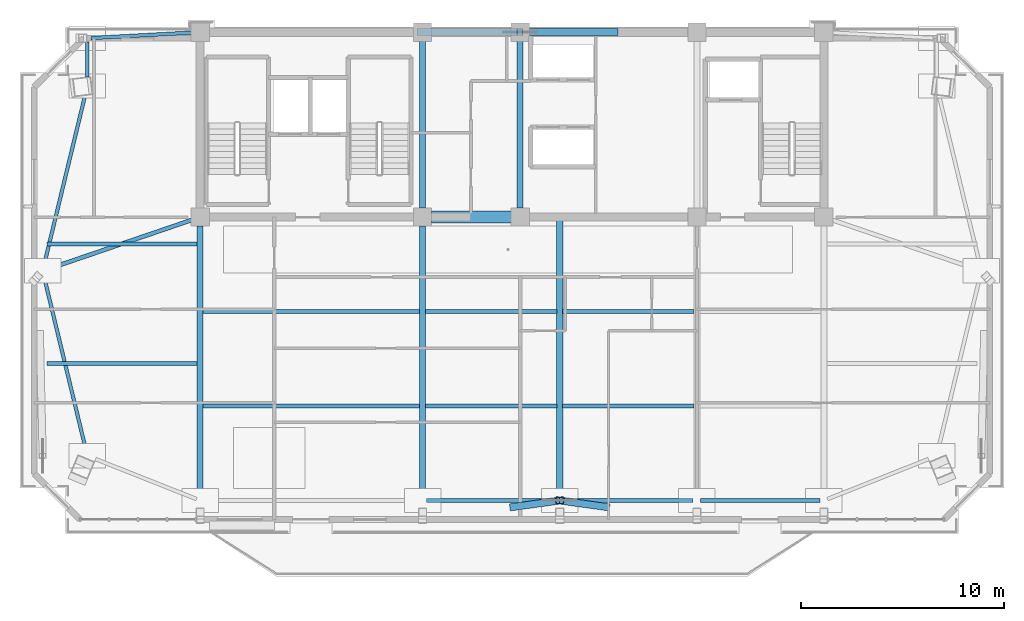
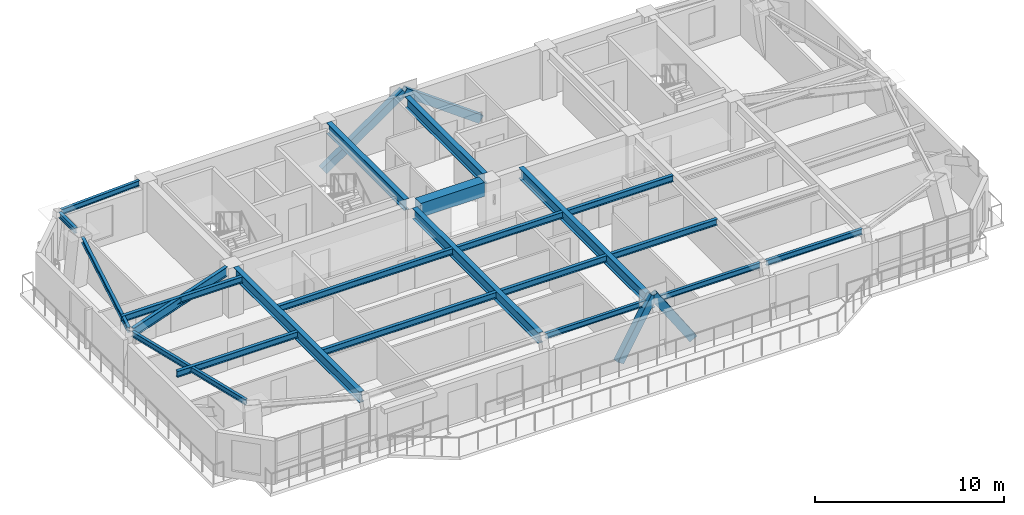
# One storey, part 3 of 12: 22 beams, 4 members.
"""IFC4 building model written with IfcOpenShell, lengths in metres."""

from ifc_helpers import new_model, si_unit, direction, frame, origin, origin_2d, place, context, subcontext, project, spatial, rectangle, hollow_rectangle, i_section, extrude, source, transform, mapped, material, material_profile, profile_set, type_object, element, save


model = new_model("IFC4")

# Units and contexts
model_context = context("Model", 3, precision=1e-05, world=origin(), true_north=direction((0.0, 1.0)))
body_context = subcontext(model_context, "Body", "Model", "MODEL_VIEW")
ifc_project = project(units=[si_unit("LENGTHUNIT", "METRE"), si_unit("AREAUNIT", "SQUARE_METRE"), si_unit("VOLUMEUNIT", "CUBIC_METRE"), si_unit("PLANEANGLEUNIT", "RADIAN"), si_unit("MASSUNIT", "GRAM", prefix="KILO")], contexts=[model_context])

# Site, building, storey
site_placement = place(None, origin())
site = spatial("IfcSite", under=ifc_project, at=site_placement, CompositionType="ELEMENT")
building_placement = place(site_placement, origin())
building = spatial("IfcBuilding", under=site, at=building_placement, Name="Giltprow Tower", CompositionType="ELEMENT")
storey_placement = place(building_placement, frame((0.0, 0.0, 342.5)))
storey = spatial("IfcBuildingStorey", under=building, at=storey_placement, Name="L89", CompositionType="ELEMENT", Elevation=342.5)

# Beams
ifc_material_1 = material(Name="Structural steel Q355B", Category="steel")
ifc_material_profile_1 = material_profile(ifc_material_1, i_section(OverallWidth=0.199951171875, OverallDepth=0.39990234375, WebThickness=0.008056640625, FlangeThickness=0.012939453125, at=origin_2d()), Name="HN 400x200x8x13")
ifc_profile_set_1 = profile_set([ifc_material_profile_1], Name="Structural steel Q355B")
beam_type_1 = type_object("IfcBeamType", Name="BM-JOIST-HN400", PredefinedType="JOIST", material=ifc_profile_set_1)
shared_shape_1 = source(origin(), body_context, "Body", "SweptSolid", [
    extrude(i_section(OverallWidth=0.199951171875, OverallDepth=0.39990234375, WebThickness=0.008056640625, FlangeThickness=0.012939453125, at=origin_2d()), origin(), (0.0, 0.0, 1.0), 10.659912109375),
])
for number, where, z_axis, x_axis, name in (
    (1, (19.9951171875, 28.14990234375, 2.985107421875), (1.0, 0.0, 0.0), (0.0, 1.0, 0.0), "L89 Composite Floor Joist 1-1"),
    (2, (19.9951171875, 32.800048828125, 2.985107421875), (1.0, 0.0, 0.0), (0.0, 1.0, 0.0), "L89 Composite Floor Joist 2-1"),
):
    element("IfcBeam", number, at=place(storey_placement, frame(where, z_axis=z_axis, x_axis=x_axis)), inside=storey, type_object=beam_type_1, Name=name, PredefinedType="JOIST", context=body_context, shape_type="MappedRepresentation", body=[
        mapped(shared_shape_1, transform((0.0, 0.0, 0.0), x_axis=(1.0, 0.0, 0.0), y_axis=(0.0, 1.0, 0.0), z_axis=(0.0, 0.0, 1.0), scale=1.0)),
    ])
shared_shape_2 = source(origin(), body_context, "Body", "SweptSolid", [
    extrude(i_section(OverallWidth=0.199951171875, OverallDepth=0.39990234375, WebThickness=0.008056640625, FlangeThickness=0.012939453125, at=origin_2d()), origin(), (0.0, 0.0, 1.0), 6.4599609375),
])
for number, where, z_axis, x_axis, name in (
    (3, (30.945068359375, 28.14990234375, 2.985107421875), (1.0, 0.0, 0.0), (0.0, 1.0, 0.0), "L89 Composite Floor Joist 1-2"),
    (4, (37.695068359375, 28.14990234375, 2.985107421875), (1.0, 0.0, 0.0), (0.0, 1.0, 0.0), "L89 Composite Floor Joist 1-3"),
    (5, (30.945068359375, 32.800048828125, 2.985107421875), (1.0, 0.0, 0.0), (0.0, 1.0, 0.0), "L89 Composite Floor Joist 2-2"),
    (6, (37.695068359375, 32.800048828125, 2.985107421875), (1.0, 0.0, 0.0), (0.0, 1.0, 0.0), "L89 Composite Floor Joist 2-3"),
):
    element("IfcBeam", number, at=place(storey_placement, frame(where, z_axis=z_axis, x_axis=x_axis)), inside=storey, type_object=beam_type_1, Name=name, PredefinedType="JOIST", context=body_context, shape_type="MappedRepresentation", body=[
        mapped(shared_shape_2, transform((0.0, 0.0, 0.0), x_axis=(1.0, 0.0, 0.0), y_axis=(0.0, 1.0, 0.0), z_axis=(0.0, 0.0, 1.0), scale=1.0)),
    ])
ifc_material_2 = material(Name="Concrete C50", Category="concrete")
ifc_material_profile_2 = material_profile(ifc_material_2, rectangle(XDim=0.60009765625, YDim=0.89990234375, at=origin_2d()), Name="RC 900x600")
ifc_profile_set_2 = profile_set([ifc_material_profile_2], Name="Concrete C50")
beam_type_2 = type_object("IfcBeamType", Name="BM-CPL-RC900", PredefinedType="LINTEL", material=ifc_profile_set_2)
shared_shape_3 = source(origin(), body_context, "Body", "SweptSolid", [
    extrude(rectangle(XDim=0.60009765625, YDim=0.89990234375, at=origin_2d()), origin(), (0.0, 0.0, 1.0), 3.929931640625),
])
beam_1_placement = place(storey_placement, frame((31.235107421875, 37.449951171875, 2.735107421875), z_axis=(1.0, 0.0, 0.0), x_axis=(0.0, 1.0, 0.0)))
element("IfcBeam", 7, at=beam_1_placement, inside=storey, type_object=beam_type_2, Name="L89 Core Coupling Beam CB-1", PredefinedType="LINTEL", context=body_context, shape_type="MappedRepresentation", body=[
    mapped(shared_shape_3, transform((0.0, 0.0, 0.0), x_axis=(1.0, 0.0, 0.0), y_axis=(0.0, 1.0, 0.0), z_axis=(0.0, 0.0, 1.0), scale=1.0)),
])
ifc_material_profile_3 = material_profile(ifc_material_1, i_section(OverallWidth=0.300048828125, OverallDepth=0.699951171875, WebThickness=0.012939453125, FlangeThickness=0.02392578125, at=origin_2d()), Name="HN 700x300x13x24")
ifc_profile_set_3 = profile_set([ifc_material_profile_3], Name="Structural steel Q355B")
beam_type_3 = type_object("IfcBeamType", Name="BM-GIRD-HN700", PredefinedType="BEAM", material=ifc_profile_set_3)
shared_shape_4 = source(origin(), body_context, "Body", "SweptSolid", [
    extrude(i_section(OverallWidth=0.300048828125, OverallDepth=0.699951171875, WebThickness=0.012939453125, FlangeThickness=0.02392578125, at=origin_2d()), origin(), (0.0, 0.0, 1.0), 8.22998046875),
])
for number, where, z_axis, x_axis, name in (
    (8, (30.800048828125, 37.885009765625, 2.8349609375), (0.0, 1.0, 0.0), (-1.0, 0.0, 0.0), "L89 Core Tie Girder M1"),
    (9, (35.60009765625, 37.885009765625, 2.8349609375), (0.0, 1.0, 0.0), (-1.0, 0.0, 0.0), "L89 Core Tie Girder M2"),
):
    element("IfcBeam", number, at=place(storey_placement, frame(where, z_axis=z_axis, x_axis=x_axis)), inside=storey, type_object=beam_type_3, Name=name, PredefinedType="BEAM", context=body_context, shape_type="MappedRepresentation", body=[
        mapped(shared_shape_4, transform((0.0, 0.0, 0.0), x_axis=(1.0, 0.0, 0.0), y_axis=(0.0, 1.0, 0.0), z_axis=(0.0, 0.0, 1.0), scale=1.0)),
    ])
ifc_material_profile_4 = material_profile(ifc_material_1, i_section(OverallWidth=0.175048828125, OverallDepth=0.35009765625, WebThickness=0.007080078125, FlangeThickness=0.010986328125, at=origin_2d()), Name="HN 350x175x7x11")
ifc_profile_set_4 = profile_set([ifc_material_profile_4], Name="Structural steel Q355B")
beam_type_4 = type_object("IfcBeamType", Name="BM-SPAN-HN350", PredefinedType="SPANDREL", material=ifc_profile_set_4)
shared_shape_5 = source(origin(), body_context, "Body", "SweptSolid", [
    extrude(i_section(OverallWidth=0.175048828125, OverallDepth=0.35009765625, WebThickness=0.007080078125, FlangeThickness=0.010986328125, at=origin_2d()), origin(), (0.0, 0.0, 1.0), 6.3798828125),
])
for number, where, z_axis, x_axis, name in (
    (10, (30.985107421875, 23.5, 3.010009765625), (1.0, 0.0, 0.0), (0.0, 1.0, 0.0), "L89 Perimeter Spandrel Beam S2-S_MID"),
    (11, (37.735107421875, 23.5, 3.010009765625), (1.0, 0.0, 0.0), (0.0, 1.0, 0.0), "L89 Perimeter Spandrel Beam S_MID-S3"),
):
    element("IfcBeam", number, at=place(storey_placement, frame(where, z_axis=z_axis, x_axis=x_axis)), inside=storey, type_object=beam_type_4, Name=name, PredefinedType="SPANDREL", context=body_context, shape_type="MappedRepresentation", body=[
        mapped(shared_shape_5, transform((0.0, 0.0, 0.0), x_axis=(1.0, 0.0, 0.0), y_axis=(0.0, 1.0, 0.0), z_axis=(0.0, 0.0, 1.0), scale=1.0)),
    ])
shared_shape_6 = source(origin(), body_context, "Body", "SweptSolid", [
    extrude(i_section(OverallWidth=0.175048828125, OverallDepth=0.35009765625, WebThickness=0.007080078125, FlangeThickness=0.010986328125, at=origin_2d()), origin(), (0.0, 0.0, 1.0), 5.8798828125),
])
beam_2_placement = place(storey_placement, frame((44.485107421875, 23.5, 3.010009765625), z_axis=(1.0, 0.0, 0.0), x_axis=(0.0, 1.0, 0.0)))
element("IfcBeam", 12, at=beam_2_placement, inside=storey, type_object=beam_type_4, Name="L89 Perimeter Spandrel Beam S3-S4", PredefinedType="SPANDREL", context=body_context, shape_type="MappedRepresentation", body=[
    mapped(shared_shape_6, transform((0.0, 0.0, 0.0), x_axis=(1.0, 0.0, 0.0), y_axis=(0.0, 1.0, 0.0), z_axis=(0.0, 0.0, 1.0), scale=1.0)),
])
shared_shape_7 = source(origin(), body_context, "Body", "SweptSolid", [
    extrude(i_section(OverallWidth=0.175048828125, OverallDepth=0.35009765625, WebThickness=0.007080078125, FlangeThickness=0.010986328125, at=origin_2d()), origin(), (0.0, 0.0, 1.0), 1.72998046875),
])
beam_3_placement = place(storey_placement, frame((14.300048828125, 46.06494140625, 3.010009765625), z_axis=(0.0, -1.0, 0.0), x_axis=(1.0, 0.0, 0.0)))
element("IfcBeam", 13, at=beam_3_placement, inside=storey, type_object=beam_type_4, Name="L89 Perimeter Spandrel Beam N_W-MC_NW", PredefinedType="SPANDREL", context=body_context, shape_type="MappedRepresentation", body=[
    mapped(shared_shape_7, transform((0.0, 0.0, 0.0), x_axis=(1.0, 0.0, 0.0), y_axis=(0.0, 1.0, 0.0), z_axis=(0.0, 0.0, 1.0), scale=1.0)),
])
shared_shape_8 = source(origin(), body_context, "Body", "SweptSolid", [
    extrude(i_section(OverallWidth=0.175048828125, OverallDepth=0.35009765625, WebThickness=0.007080078125, FlangeThickness=0.010986328125, at=origin_2d()), origin(), (0.0, 0.0, 1.0), 8.741943359375),
])
for number, where, z_axis, x_axis, name in (
    (14, (14.197998046875, 43.47705078125, 3.010009765625), (-0.235063655766, -0.971979978054, 0.0), (0.971979978054, -0.235063655766, 0.0), "L89 Perimeter Spandrel Beam MC_NW-W_MID"),
    (15, (12.14306640625, 34.6201171875, 3.010009765625), (0.235063655766, -0.971979978054, 0.0), (0.971979978054, 0.235063655766, 0.0), "L89 Perimeter Spandrel Beam W_MID-MC_SW"),
):
    element("IfcBeam", number, at=place(storey_placement, frame(where, z_axis=z_axis, x_axis=x_axis)), inside=storey, type_object=beam_type_4, Name=name, PredefinedType="SPANDREL", context=body_context, shape_type="MappedRepresentation", body=[
        mapped(shared_shape_8, transform((0.0, 0.0, 0.0), x_axis=(1.0, 0.0, 0.0), y_axis=(0.0, 1.0, 0.0), z_axis=(0.0, 0.0, 1.0), scale=1.0)),
    ])
shared_shape_9 = source(origin(), body_context, "Body", "SweptSolid", [
    extrude(i_section(OverallWidth=0.175048828125, OverallDepth=0.35009765625, WebThickness=0.007080078125, FlangeThickness=0.010986328125, at=origin_2d()), origin(), (0.0, 0.0, 1.0), 4.938232421875),
])
beam_4_placement = place(storey_placement, frame((14.485107421875, 46.260009765625, 3.010009765625), z_axis=(0.998536217559, 0.054087172452, 0.0), x_axis=(-0.054087172452, 0.998536217559, 0.0)))
element("IfcBeam", 16, at=beam_4_placement, inside=storey, type_object=beam_type_4, Name="L89 North Wing Spandrel W", PredefinedType="SPANDREL", context=body_context, shape_type="MappedRepresentation", body=[
    mapped(shared_shape_9, transform((0.0, 0.0, 0.0), x_axis=(1.0, 0.0, 0.0), y_axis=(0.0, 1.0, 0.0), z_axis=(0.0, 0.0, 1.0), scale=1.0)),
])
shared_shape_10 = source(origin(), body_context, "Body", "SweptSolid", [
    extrude(i_section(OverallWidth=0.300048828125, OverallDepth=0.699951171875, WebThickness=0.012939453125, FlangeThickness=0.02392578125, at=origin_2d()), origin(), (0.0, 0.0, 1.0), 13.329833984375),
])
for number, where, z_axis, x_axis, name in (
    (17, (19.85009765625, 23.68505859375, 2.8349609375), (0.0, 1.0, 0.0), (-1.0, 0.0, 0.0), "L89 Primary Lease Girder S1"),
    (18, (30.800048828125, 23.68505859375, 2.8349609375), (0.0, 1.0, 0.0), (-1.0, 0.0, 0.0), "L89 Primary Lease Girder S2"),
):
    element("IfcBeam", number, at=place(storey_placement, frame(where, z_axis=z_axis, x_axis=x_axis)), inside=storey, type_object=beam_type_3, Name=name, PredefinedType="BEAM", context=body_context, shape_type="MappedRepresentation", body=[
        mapped(shared_shape_10, transform((0.0, 0.0, 0.0), x_axis=(1.0, 0.0, 0.0), y_axis=(0.0, 1.0, 0.0), z_axis=(0.0, 0.0, 1.0), scale=1.0)),
    ])
shared_shape_11 = source(origin(), body_context, "Body", "SweptSolid", [
    extrude(i_section(OverallWidth=0.300048828125, OverallDepth=0.699951171875, WebThickness=0.012939453125, FlangeThickness=0.02392578125, at=origin_2d()), origin(), (0.0, 0.0, 1.0), 13.949951171875),
])
beam_5_placement = place(storey_placement, frame((37.550048828125, 23.5, 2.8349609375), z_axis=(0.0, 1.0, 0.0), x_axis=(-1.0, 0.0, 0.0)))
element("IfcBeam", 19, at=beam_5_placement, inside=storey, type_object=beam_type_3, Name="L89 Central Lease Girder SMID", PredefinedType="BEAM", context=body_context, shape_type="MappedRepresentation", body=[
    mapped(shared_shape_11, transform((0.0, 0.0, 0.0), x_axis=(1.0, 0.0, 0.0), y_axis=(0.0, 1.0, 0.0), z_axis=(0.0, 0.0, 1.0), scale=1.0)),
])
ifc_material_profile_5 = material_profile(ifc_material_1, i_section(OverallWidth=0.199951171875, OverallDepth=0.60009765625, WebThickness=0.010986328125, FlangeThickness=0.01708984375, at=origin_2d()), Name="HN 600x200x11x17")
ifc_profile_set_5 = profile_set([ifc_material_profile_5], Name="Structural steel Q355B")
beam_type_5 = type_object("IfcBeamType", Name="BM-GIRD-HN600", PredefinedType="BEAM", material=ifc_profile_set_5)
shared_shape_12 = source(origin(), body_context, "Body", "SweptSolid", [
    extrude(i_section(OverallWidth=0.199951171875, OverallDepth=0.60009765625, WebThickness=0.010986328125, FlangeThickness=0.01708984375, at=origin_2d()), origin(), (0.0, 0.0, 1.0), 7.570068359375),
])
beam_6_placement = place(storey_placement, frame((12.27490234375, 34.860107421875, 2.885009765625), z_axis=(0.946226868373, 0.323503807657, 0.0), x_axis=(-0.323503807657, 0.946226868373, 0.0)))
element("IfcBeam", 20, at=beam_6_placement, inside=storey, type_object=beam_type_5, Name="L89 West Wing Primary Girder", PredefinedType="BEAM", context=body_context, shape_type="MappedRepresentation", body=[
    mapped(shared_shape_12, transform((0.0, 0.0, 0.0), x_axis=(1.0, 0.0, 0.0), y_axis=(0.0, 1.0, 0.0), z_axis=(0.0, 0.0, 1.0), scale=1.0)),
])
shared_shape_13 = source(origin(), body_context, "Body", "SweptSolid", [
    extrude(i_section(OverallWidth=0.199951171875, OverallDepth=0.39990234375, WebThickness=0.008056640625, FlangeThickness=0.012939453125, at=origin_2d()), origin(), (0.0, 0.0, 1.0), 7.385009765625),
])
for number, where, z_axis, x_axis, name in (
    (21, (12.320068359375, 30.25, 2.985107421875), (1.0, 0.0, 0.0), (0.0, 1.0, 0.0), "L89 West Wing Floor Joist 1"),
    (22, (12.320068359375, 36.125, 2.985107421875), (1.0, 0.0, 0.0), (0.0, 1.0, 0.0), "L89 West Wing Floor Joist 2"),
):
    element("IfcBeam", number, at=place(storey_placement, frame(where, z_axis=z_axis, x_axis=x_axis)), inside=storey, type_object=beam_type_1, Name=name, PredefinedType="JOIST", context=body_context, shape_type="MappedRepresentation", body=[
        mapped(shared_shape_13, transform((0.0, 0.0, 0.0), x_axis=(1.0, 0.0, 0.0), y_axis=(0.0, 1.0, 0.0), z_axis=(0.0, 0.0, 1.0), scale=1.0)),
    ])

# Members
ifc_material_3 = material(Name="Structural steel Q420GJC", Category="steel")
ifc_material_profile_6 = material_profile(ifc_material_3, hollow_rectangle(XDim=0.35009765625, YDim=0.5, WallThickness=0.02392578125, at=origin_2d()), Name="RHS 500x350x24")
ifc_profile_set_6 = profile_set([ifc_material_profile_6], Name="Structural steel Q420GJC")
member_type = type_object("IfcMemberType", Name="MBR-MEGA-RHS500", PredefinedType="BRACE", material=ifc_profile_set_6)
shared_shape_14 = source(origin(), body_context, "Body", "SweptSolid", [
    extrude(hollow_rectangle(XDim=0.35009765625, YDim=0.5, WallThickness=0.02392578125, at=origin_2d()), origin(), (0.0, 0.0, 1.0), 4.0888671875),
])
for number, where, z_axis, x_axis, name in (
    (23, (35.300048828125, 23.18896484375, 0.0), (0.550278873645, 0.076069366865, 0.831508636543), (-0.136935639325, 0.990579946639, 0.0), "L89 Chevron Mega-Brace S-L"),
    (24, (39.800048828125, 23.18896484375, 0.0), (-0.550278873645, 0.076069366865, 0.831508636543), (-0.136935639325, -0.990579946639, 0.0), "L89 Chevron Mega-Brace S-R"),
):
    element("IfcMember", number, at=place(storey_placement, frame(where, z_axis=z_axis, x_axis=x_axis)), inside=storey, type_object=member_type, Name=name, PredefinedType="BRACE", context=body_context, shape_type="MappedRepresentation", body=[
        mapped(shared_shape_14, transform((0.0, 0.0, 0.0), x_axis=(1.0, 0.0, 0.0), y_axis=(0.0, 1.0, 0.0), z_axis=(0.0, 0.0, 1.0), scale=1.0)),
    ])
shared_shape_15 = source(origin(), body_context, "Body", "SweptSolid", [
    extrude(hollow_rectangle(XDim=0.35009765625, YDim=0.5, WallThickness=0.02392578125, at=origin_2d()), origin(), (0.0, 0.0, 1.0), 5.774169921875),
])
member_1_placement = place(storey_placement, frame((40.26708984375, 46.550048828125, -0.139892578125), z_axis=(-0.808264093398, 0.0, 0.588820138348), x_axis=(0.0, -1.0, 0.0)))
element("IfcMember", 25, at=member_1_placement, inside=storey, type_object=member_type, Name="L89 Chevron Mega-Brace N-R", PredefinedType="BRACE", context=body_context, shape_type="MappedRepresentation", body=[
    mapped(shared_shape_15, transform((0.0, 0.0, 0.0), x_axis=(1.0, 0.0, 0.0), y_axis=(0.0, 1.0, 0.0), z_axis=(0.0, 0.0, 1.0), scale=1.0)),
])
shared_shape_16 = source(origin(), body_context, "Body", "SweptSolid", [
    extrude(hollow_rectangle(XDim=0.35009765625, YDim=0.5, WallThickness=0.02392578125, at=origin_2d()), origin(), (0.0, 0.0, 1.0), 5.9912109375),
])
member_2_placement = place(storey_placement, frame((30.6669921875, 46.550048828125, -0.139892578125), z_axis=(0.823387435214, 0.0, 0.567479630941), x_axis=(0.0, 1.0, 0.0)))
element("IfcMember", 26, at=member_2_placement, inside=storey, type_object=member_type, Name="L89 Chevron Mega-Brace N-L", PredefinedType="BRACE", context=body_context, shape_type="MappedRepresentation", body=[
    mapped(shared_shape_16, transform((0.0, 0.0, 0.0), x_axis=(1.0, 0.0, 0.0), y_axis=(0.0, 1.0, 0.0), z_axis=(0.0, 0.0, 1.0), scale=1.0)),
])

save(model, "model.ifc")
